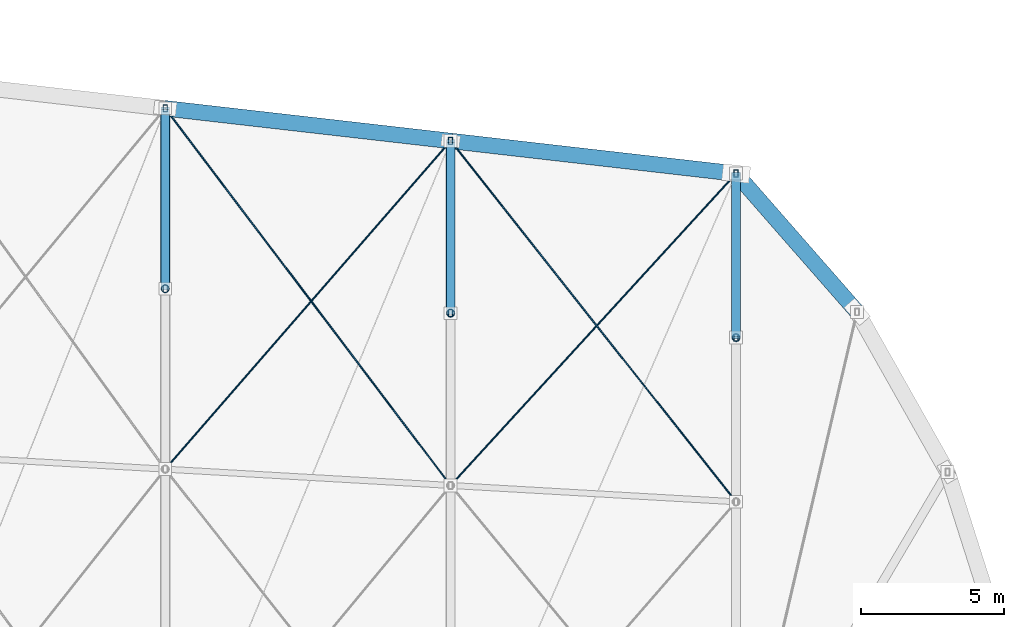
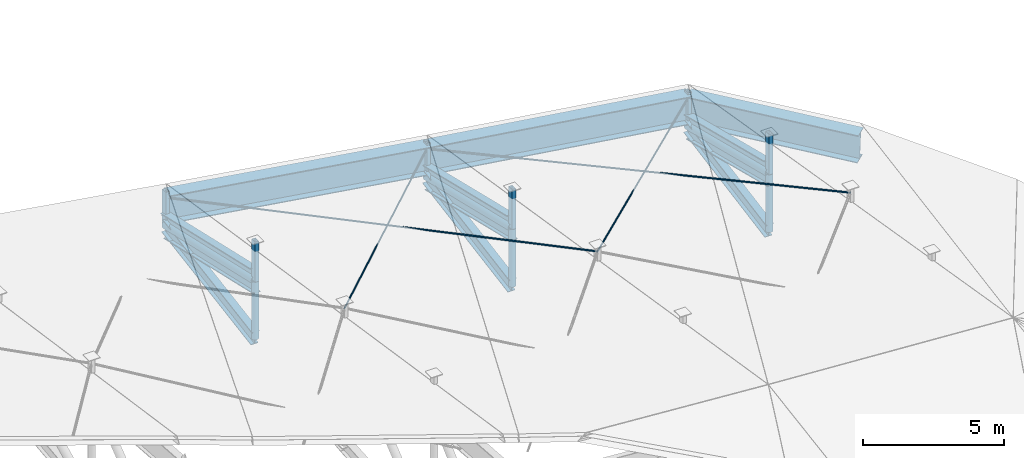
# One storey, part 39 of 68: 16 members, 9 beams.
"""IFC4 building model written with IfcOpenShell, lengths in metres."""

from ifc_helpers import new_model, si_unit, direction, frame, origin, origin_2d, place, context, subcontext, project, spatial, hollow_rectangle, circle, hollow_circle, i_section, extrude, material, material_profile, profile_set, type_object, element, save


model = new_model("IFC4")

# Units and contexts
model_context = context("Model", 3, precision=1e-05, world=origin(), true_north=direction((0.0, 1.0)))
body_context = subcontext(model_context, "Body", "Model", "MODEL_VIEW")
ifc_project = project(units=[si_unit("LENGTHUNIT", "METRE"), si_unit("AREAUNIT", "SQUARE_METRE"), si_unit("VOLUMEUNIT", "CUBIC_METRE"), si_unit("PLANEANGLEUNIT", "RADIAN"), si_unit("MASSUNIT", "GRAM", prefix="KILO")], contexts=[model_context])

# Site, building, storey
site_placement = place(None, origin())
site = spatial("IfcSite", under=ifc_project, at=site_placement, CompositionType="ELEMENT")
building_placement = place(site_placement, origin())
building = spatial("IfcBuilding", under=site, at=building_placement, Name="Sohan Crest Arena", CompositionType="ELEMENT")
storey_placement = place(building_placement, frame((0.0, 0.0, 27.0)))
storey = spatial("IfcBuildingStorey", under=building, at=storey_placement, Name="RF", CompositionType="ELEMENT", Elevation=27.0)

# Beams
ifc_material_1 = material(Name="Steel S355", Category="steel")
ifc_material_profile_1 = material_profile(ifc_material_1, i_section(OverallWidth=0.300048828125, OverallDepth=0.60009765625, WebThickness=0.015380859375, FlangeThickness=0.030029296875, at=origin_2d()), Name="HEB 600")
ifc_profile_set_1 = profile_set([ifc_material_profile_1], Name="Steel S355")
beam_type_1 = type_object("IfcBeamType", Name="STR-BM-B15", PredefinedType="BEAM", material=ifc_profile_set_1)
beam_1_placement = place(storey_placement, frame((148.0, 96.965087890625, -3.85693359375), z_axis=(0.0, 0.986480290831, 0.163879943255), x_axis=(-1.0, 0.0, 0.0)))
element("IfcBeam", 1, at=beam_1_placement, inside=storey, type_object=beam_type_1, Name="Structural beam RAB-RF-3111", PredefinedType="BEAM", context=body_context, shape_type="SweptSolid", body=[
    extrude(i_section(OverallWidth=0.300048828125, OverallDepth=0.60009765625, WebThickness=0.015380859375, FlangeThickness=0.030029296875, at=origin_2d()), origin(), (0.0, 0.0, 1.0), 6.407470703125),
])
beam_2_placement = place(storey_placement, frame((158.0, 96.10693359375, -4.56201171875), z_axis=(0.0, 0.985203857274, 0.171386579442), x_axis=(-1.0, 0.0, 0.0)))
element("IfcBeam", 2, at=beam_2_placement, inside=storey, type_object=beam_type_1, Name="Structural beam RAB-RF-3127", PredefinedType="BEAM", context=body_context, shape_type="SweptSolid", body=[
    extrude(i_section(OverallWidth=0.300048828125, OverallDepth=0.60009765625, WebThickness=0.015380859375, FlangeThickness=0.030029296875, at=origin_2d()), origin(), (0.0, 0.0, 1.0), 6.126708984375),
])
beam_3_placement = place(storey_placement, frame((168.0, 95.25, -5.180908203125), z_axis=(0.0, 0.983738659396, 0.179605818419), x_axis=(-1.0, 0.0, 0.0)))
element("IfcBeam", 3, at=beam_3_placement, inside=storey, type_object=beam_type_1, Name="Structural beam RAB-RF-3143", PredefinedType="BEAM", context=body_context, shape_type="SweptSolid", body=[
    extrude(i_section(OverallWidth=0.300048828125, OverallDepth=0.60009765625, WebThickness=0.015380859375, FlangeThickness=0.030029296875, at=origin_2d()), origin(), (0.0, 0.0, 1.0), 5.844970703125),
])
ifc_material_profile_2 = material_profile(ifc_material_1, i_section(OverallWidth=0.300048828125, OverallDepth=1.0, WebThickness=0.01904296875, FlangeThickness=0.035888671875, at=origin_2d()), Name="HEB 1000")
ifc_profile_set_2 = profile_set([ifc_material_profile_2], Name="Steel S355")
beam_type_2 = type_object("IfcBeamType", Name="STR-BM-B19", PredefinedType="BEAM", material=ifc_profile_set_2)
beam_4_placement = place(storey_placement, frame((148.0, 96.965087890625, -1.363037109375), z_axis=(0.0, 0.97488887861, -0.222691882121), x_axis=(-1.0, 0.0, 0.0)))
element("IfcBeam", 4, at=beam_4_placement, inside=storey, type_object=beam_type_2, Name="Structural beam RA-RF-3110", PredefinedType="BEAM", context=body_context, shape_type="SweptSolid", body=[
    extrude(i_section(OverallWidth=0.300048828125, OverallDepth=1.0, WebThickness=0.01904296875, FlangeThickness=0.035888671875, at=origin_2d()), origin(), (0.0, 0.0, 1.0), 6.483642578125),
])
beam_5_placement = place(storey_placement, frame((158.0, 96.10791015625, -2.069091796875), z_axis=(0.0, 0.972590498499, -0.232524670151), x_axis=(-1.0, 0.0, 0.0)))
element("IfcBeam", 5, at=beam_5_placement, inside=storey, type_object=beam_type_2, Name="Structural beam RA-RF-3126", PredefinedType="BEAM", context=body_context, shape_type="SweptSolid", body=[
    extrude(i_section(OverallWidth=0.300048828125, OverallDepth=1.0, WebThickness=0.01904296875, FlangeThickness=0.035888671875, at=origin_2d()), origin(), (0.0, 0.0, 1.0), 6.205322265625),
])
beam_6_placement = place(storey_placement, frame((168.0, 95.25, -2.68798828125), z_axis=(0.0, 0.969919223088, -0.243426992513), x_axis=(-1.0, 0.0, 0.0)))
element("IfcBeam", 6, at=beam_6_placement, inside=storey, type_object=beam_type_2, Name="Structural beam RA-RF-3142", PredefinedType="BEAM", context=body_context, shape_type="SweptSolid", body=[
    extrude(i_section(OverallWidth=0.300048828125, OverallDepth=1.0, WebThickness=0.01904296875, FlangeThickness=0.035888671875, at=origin_2d()), origin(), (0.0, 0.0, 1.0), 5.92822265625),
])
ifc_material_profile_3 = material_profile(ifc_material_1, i_section(OverallWidth=0.550048828125, OverallDepth=1.199951171875, WebThickness=0.02197265625, FlangeThickness=0.034912109375, at=origin_2d()), Name="PG 1200x550x22x35")
ifc_profile_set_3 = profile_set([ifc_material_profile_3], Name="Steel S355")
beam_type_3 = type_object("IfcBeamType", Name="STR-BM-RB01", PredefinedType="USERDEFINED", material=ifc_profile_set_3)
beam_7_placement = place(storey_placement, frame((172.242919921875, 96.154052734375, -3.544921875), z_axis=(-0.658345836045, 0.751913602604, 0.034737506856), x_axis=(-0.752367678553, -0.658743407002, 0.0)))
element("IfcBeam", 7, at=beam_7_placement, inside=storey, type_object=beam_type_3, Name="Rising compression ring beam segment RB-27", ObjectType="RING BEAM", PredefinedType="USERDEFINED", context=body_context, shape_type="SweptSolid", body=[
    extrude(i_section(OverallWidth=0.550048828125, OverallDepth=1.199951171875, WebThickness=0.02197265625, FlangeThickness=0.034912109375, at=origin_2d()), origin(), (0.0, 0.0, 1.0), 6.44482421875),
])
beam_8_placement = place(storey_placement, frame((168.0, 101.0, -3.321044921875), z_axis=(-0.991655929777, 0.113352857989, 0.061397447215), x_axis=(-0.113567114035, -0.99353032697, 0.0)))
element("IfcBeam", 8, at=beam_8_placement, inside=storey, type_object=beam_type_3, Name="Rising compression ring beam segment RB-28", ObjectType="RING BEAM", PredefinedType="USERDEFINED", context=body_context, shape_type="SweptSolid", body=[
    extrude(i_section(OverallWidth=0.550048828125, OverallDepth=1.199951171875, WebThickness=0.02197265625, FlangeThickness=0.034912109375, at=origin_2d()), origin(), (0.0, 0.0, 1.0), 10.084228515625),
])
beam_9_placement = place(storey_placement, frame((158.0, 102.14306640625, -2.701904296875), z_axis=(-0.991105911769, 0.113265790356, 0.069856512873), x_axis=(-0.113543170668, -0.993533063564, 0.0)))
element("IfcBeam", 9, at=beam_9_placement, inside=storey, type_object=beam_type_3, Name="Rising compression ring beam segment RB-29", ObjectType="RING BEAM", PredefinedType="USERDEFINED", context=body_context, shape_type="SweptSolid", body=[
    extrude(i_section(OverallWidth=0.550048828125, OverallDepth=1.199951171875, WebThickness=0.02197265625, FlangeThickness=0.034912109375, at=origin_2d()), origin(), (0.0, 0.0, 1.0), 10.08984375),
])

# Members
ifc_material_profile_4 = material_profile(ifc_material_1, hollow_circle(Radius=0.136474609375, WallThickness=0.012451171875, at=origin_2d()), Name="CHS 273x12.5")
ifc_profile_set_4 = profile_set([ifc_material_profile_4], Name="Steel S355")
member_type_1 = type_object("IfcMemberType", Name="STR-MEM-BR02", PredefinedType="BRACE", material=ifc_profile_set_4)
member_1_placement = place(storey_placement, frame((148.0, 96.965087890625, -3.85693359375), z_axis=(0.0, 0.0, 1.0), x_axis=(1.0, 0.0, 0.0)))
element("IfcMember", 10, at=member_1_placement, inside=storey, type_object=member_type_1, Name="Lenticular roof truss web strut TW-203", PredefinedType="BRACE", context=body_context, shape_type="SweptSolid", body=[
    extrude(hollow_circle(Radius=0.136474609375, WallThickness=0.012451171875, at=origin_2d()), origin(), (0.0, 0.0, 1.0), 2.493896484375),
])
for number, where, z_axis, x_axis, name in (
    (11, (158.0, 96.10693359375, -4.56201171875), (0.0, 0.000391734374, 0.999999923272), (1.0, 0.0, 0.0), "Lenticular roof truss web strut TW-227"),
    (12, (168.0, 95.25, -5.180908203125), (0.0, 0.0, 1.0), (1.0, 0.0, 0.0), "Lenticular roof truss web strut TW-251"),
):
    element("IfcMember", number, at=place(storey_placement, frame(where, z_axis=z_axis, x_axis=x_axis)), inside=storey, type_object=member_type_1, Name=name, PredefinedType="BRACE", context=body_context, shape_type="SweptSolid", body=[
        extrude(hollow_circle(Radius=0.136474609375, WallThickness=0.012451171875, at=origin_2d()), origin(), (0.0, 0.0, 1.0), 2.492919921875),
    ])
ifc_material_profile_5 = material_profile(ifc_material_1, hollow_circle(Radius=0.161865234375, WallThickness=0.012451171875, at=origin_2d()), Name="CHS 323.9x12.5")
ifc_profile_set_5 = profile_set([ifc_material_profile_5], Name="Steel S355")
member_type_2 = type_object("IfcMemberType", Name="STR-MEM-BR03", PredefinedType="BRACE", material=ifc_profile_set_5)
member_2_placement = place(storey_placement, frame((148.0, 103.285888671875, -2.806884765625), z_axis=(0.0, -0.97488887861, 0.222691882121), x_axis=(1.0, 0.0, 0.0)))
element("IfcMember", 13, at=member_2_placement, inside=storey, type_object=member_type_2, Name="Lenticular roof truss web diagonal TD-204", PredefinedType="BRACE", context=body_context, shape_type="SweptSolid", body=[
    extrude(hollow_circle(Radius=0.161865234375, WallThickness=0.012451171875, at=origin_2d()), origin(), (0.0, 0.0, 1.0), 6.483642578125),
])
member_3_placement = place(storey_placement, frame((158.0, 102.14306640625, -3.511962890625), z_axis=(0.0, -0.972590498499, 0.232524670151), x_axis=(1.0, 0.0, 0.0)))
element("IfcMember", 14, at=member_3_placement, inside=storey, type_object=member_type_2, Name="Lenticular roof truss web diagonal TD-228", PredefinedType="BRACE", context=body_context, shape_type="SweptSolid", body=[
    extrude(hollow_circle(Radius=0.161865234375, WallThickness=0.012451171875, at=origin_2d()), origin(), (0.0, 0.0, 1.0), 6.205322265625),
])
member_4_placement = place(storey_placement, frame((168.0, 101.0, -4.131103515625), z_axis=(0.0, -0.969919223088, 0.243426992513), x_axis=(1.0, 0.0, 0.0)))
element("IfcMember", 15, at=member_4_placement, inside=storey, type_object=member_type_2, Name="Lenticular roof truss web diagonal TD-252", PredefinedType="BRACE", context=body_context, shape_type="SweptSolid", body=[
    extrude(hollow_circle(Radius=0.161865234375, WallThickness=0.012451171875, at=origin_2d()), origin(), (0.0, 0.0, 1.0), 5.92822265625),
])
ifc_material_2 = material(Name="Steel S460", Category="steel")
ifc_material_profile_6 = material_profile(ifc_material_2, circle(Radius=0.031982421875, at=origin_2d()), Name="FLC D64")
ifc_profile_set_6 = profile_set([ifc_material_profile_6], Name="Steel S460")
member_type_3 = type_object("IfcMemberType", Name="STR-MEM-CB01", PredefinedType="USERDEFINED", material=ifc_profile_set_6)
member_5_placement = place(storey_placement, frame((148.0, 90.64306640625, 1.260986328125), z_axis=(0.638668347028, 0.734468599083, -0.229474659746), x_axis=(-0.754605522164, 0.656178714925, 0.0)))
element("IfcMember", 16, at=member_5_placement, inside=storey, type_object=member_type_3, Name="Full-locked-coil roof cable CB-047", ObjectType="CABLE", PredefinedType="USERDEFINED", context=body_context, shape_type="SweptSolid", body=[
    extrude(circle(Radius=0.031982421875, at=origin_2d()), origin(), (0.0, 0.0, 1.0), 15.657470703125),
])
member_6_placement = place(storey_placement, frame((158.0, 90.072021484375, 0.554931640625), z_axis=(0.656940380802, 0.717903036745, -0.230314059285), x_axis=(-0.737736073835, 0.675089242517, 0.0)))
element("IfcMember", 17, at=member_6_placement, inside=storey, type_object=member_type_3, Name="Full-locked-coil roof cable CB-055", ObjectType="CABLE", PredefinedType="USERDEFINED", context=body_context, shape_type="SweptSolid", body=[
    extrude(circle(Radius=0.031982421875, at=origin_2d()), origin(), (0.0, 0.0, 1.0), 15.22216796875),
])
ifc_material_profile_7 = material_profile(ifc_material_2, circle(Radius=0.02587890625, at=origin_2d()), Name="FLC D52")
ifc_profile_set_7 = profile_set([ifc_material_profile_7], Name="Steel S460")
member_type_4 = type_object("IfcMemberType", Name="STR-MEM-CB02", PredefinedType="USERDEFINED", material=ifc_profile_set_7)
member_7_placement = place(storey_placement, frame((148.0, 103.285888671875, -1.626953125), z_axis=(0.598291069184, -0.790573872766, 0.130540216926), x_axis=(0.79739718864, 0.603454823122, 0.0)))
element("IfcMember", 18, at=member_7_placement, inside=storey, type_object=member_type_4, Name="Full-locked-coil roof cable CB-048", ObjectType="CABLE", PredefinedType="USERDEFINED", context=body_context, shape_type="SweptSolid", body=[
    extrude(circle(Radius=0.02587890625, at=origin_2d()), origin(), (0.0, 0.0, 1.0), 16.71435546875),
])
member_8_placement = place(storey_placement, frame((158.0, 102.14306640625, -2.33203125), z_axis=(0.614305254837, -0.776670213061, 0.139328511168), x_axis=(0.784320304822, 0.620356074721, 0.0)))
element("IfcMember", 19, at=member_8_placement, inside=storey, type_object=member_type_4, Name="Full-locked-coil roof cable CB-056", ObjectType="CABLE", PredefinedType="USERDEFINED", context=body_context, shape_type="SweptSolid", body=[
    extrude(circle(Radius=0.02587890625, at=origin_2d()), origin(), (0.0, 0.0, 1.0), 16.278564453125),
])
ifc_material_profile_8 = material_profile(ifc_material_1, hollow_rectangle(XDim=0.14990234375, YDim=0.25, WallThickness=0.010009765625, at=origin_2d()), Name="RHS 250x150x10")
ifc_profile_set_8 = profile_set([ifc_material_profile_8], Name="Steel S355")
member_type_5 = type_object("IfcMemberType", Name="STR-MEM-CH02", PredefinedType="CHORD", material=ifc_profile_set_8)
member_9_placement = place(storey_placement, frame((148.0, 96.965087890625, -1.363037109375), z_axis=(0.0, 0.0, 1.0), x_axis=(1.0, 0.0, 0.0)))
element("IfcMember", 20, at=member_9_placement, inside=storey, type_object=member_type_5, Name="Roof deck bearing saddle chord RSP-188", PredefinedType="CHORD", context=body_context, shape_type="SweptSolid", body=[
    extrude(hollow_rectangle(XDim=0.14990234375, YDim=0.25, WallThickness=0.010009765625, at=origin_2d()), origin(), (0.0, 0.0, 1.0), 1.72998046875),
])
member_10_placement = place(storey_placement, frame((148.0, 103.285888671875, -2.806884765625), z_axis=(0.0, 0.0, 1.0), x_axis=(1.0, 0.0, 0.0)))
element("IfcMember", 21, at=member_10_placement, inside=storey, type_object=member_type_5, Name="Roof deck bearing saddle chord RSP-189", PredefinedType="CHORD", context=body_context, shape_type="SweptSolid", body=[
    extrude(hollow_rectangle(XDim=0.14990234375, YDim=0.25, WallThickness=0.010009765625, at=origin_2d()), origin(), (0.0, 0.0, 1.0), 1.489990234375),
])
member_11_placement = place(storey_placement, frame((158.0, 96.10791015625, -2.069091796875), z_axis=(0.0, -0.000564095242, 0.999999840898), x_axis=(1.0, 0.0, 0.0)))
element("IfcMember", 22, at=member_11_placement, inside=storey, type_object=member_type_5, Name="Roof deck bearing saddle chord RSP-212", PredefinedType="CHORD", context=body_context, shape_type="SweptSolid", body=[
    extrude(hollow_rectangle(XDim=0.14990234375, YDim=0.25, WallThickness=0.010009765625, at=origin_2d()), origin(), (0.0, 0.0, 1.0), 1.731201171875),
])
member_12_placement = place(storey_placement, frame((158.0, 102.14306640625, -3.511962890625), z_axis=(0.0, 0.0, 1.0), x_axis=(1.0, 0.0, 0.0)))
element("IfcMember", 23, at=member_12_placement, inside=storey, type_object=member_type_5, Name="Roof deck bearing saddle chord RSP-213", PredefinedType="CHORD", context=body_context, shape_type="SweptSolid", body=[
    extrude(hollow_rectangle(XDim=0.14990234375, YDim=0.25, WallThickness=0.010009765625, at=origin_2d()), origin(), (0.0, 0.0, 1.0), 1.489990234375),
])
member_13_placement = place(storey_placement, frame((168.0, 95.25, -2.68798828125), z_axis=(0.0, 0.0, 1.0), x_axis=(1.0, 0.0, 0.0)))
element("IfcMember", 24, at=member_13_placement, inside=storey, type_object=member_type_5, Name="Roof deck bearing saddle chord RSP-236", PredefinedType="CHORD", context=body_context, shape_type="SweptSolid", body=[
    extrude(hollow_rectangle(XDim=0.14990234375, YDim=0.25, WallThickness=0.010009765625, at=origin_2d()), origin(), (0.0, 0.0, 1.0), 1.73095703125),
])
member_14_placement = place(storey_placement, frame((168.0, 101.0, -4.131103515625), z_axis=(0.0, 0.0, 1.0), x_axis=(1.0, 0.0, 0.0)))
element("IfcMember", 25, at=member_14_placement, inside=storey, type_object=member_type_5, Name="Roof deck bearing saddle chord RSP-237", PredefinedType="CHORD", context=body_context, shape_type="SweptSolid", body=[
    extrude(hollow_rectangle(XDim=0.14990234375, YDim=0.25, WallThickness=0.010009765625, at=origin_2d()), origin(), (0.0, 0.0, 1.0), 1.489990234375),
])

save(model, "model.ifc")
